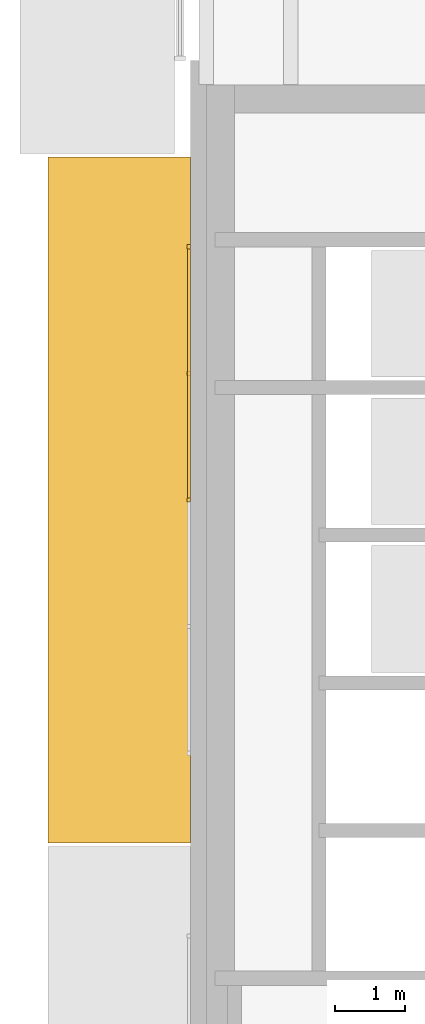
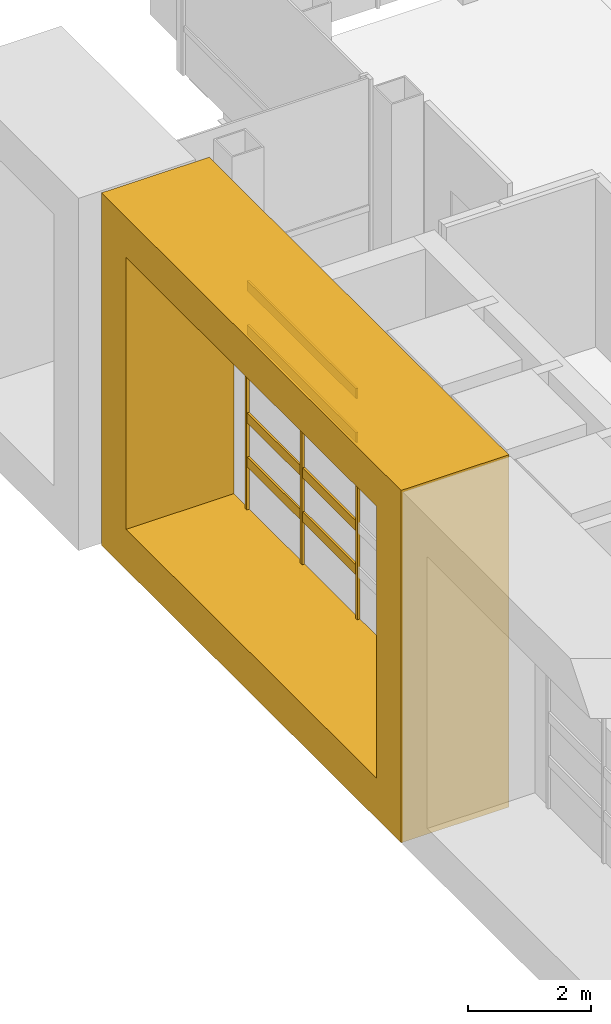
# One storey, part 16 of 21: 8 coverings.
"""IFC4 building model written with IfcOpenShell, lengths in metres."""

from ifc_helpers import new_model, si_unit, direction, frame, origin, origin_2d, place, context, subcontext, project, spatial, polyline, rectangle, outline, extrude, material, type_object, element, save


model = new_model("IFC4")

# Units and contexts
model_context = context("Model", 3, precision=1e-05, world=origin(), true_north=direction((0.0, 1.0)))
body_context = subcontext(model_context, "Body", "Model", "MODEL_VIEW")
ifc_project = project(units=[si_unit("LENGTHUNIT", "METRE"), si_unit("AREAUNIT", "SQUARE_METRE"), si_unit("VOLUMEUNIT", "CUBIC_METRE"), si_unit("PLANEANGLEUNIT", "RADIAN"), si_unit("MASSUNIT", "GRAM", prefix="KILO")], contexts=[model_context])

# Site, building, storey
site_placement = place(None, origin())
site = spatial("IfcSite", under=ifc_project, at=site_placement, CompositionType="ELEMENT")
building_placement = place(site_placement, origin())
building = spatial("IfcBuilding", under=site, at=building_placement, Name="Cobrizo Arcos Hotel Tower", CompositionType="ELEMENT")
storey_placement = place(building_placement, frame((0.0, 0.0, 269.0)))
storey = spatial("IfcBuildingStorey", under=building, at=storey_placement, Name="L71", CompositionType="ELEMENT", Elevation=269.0)

# Coverings
ifc_material_1 = material(Name="Aluminium 6063-T6 anodised bronze", Category="aluminium")
covering_type_1 = type_object("IfcCoveringType", Name="FIN-F 2025", PredefinedType="CLADDING", material=ifc_material_1)
covering_placement = place(storey_placement, frame((-20.625, 9.77490234375, 0.0), z_axis=(-1.0, 0.0, 0.0), x_axis=(0.0, -1.0, 0.0)))
element("IfcCovering", 1, at=covering_placement, inside=storey, type_object=covering_type_1, Name="Fin frame 440", PredefinedType="CLADDING", context=body_context, shape_type="SweptSolid", body=[
    extrude(outline(polyline([(0.0, 7.0), (0.0, 0.0), (9.75, 0.0), (9.75, 7.0), (0.0, 7.0)]), holes=[polyline([(8.949951171875, 0.800048828125), (0.800048828125, 0.800048828125), (0.800048828125, 6.199951171875), (8.949951171875, 6.199951171875), (8.949951171875, 0.800048828125)])]), origin(), (0.0, 0.0, 1.0), 2.02490234375),
])
ifc_material_2 = material(Name="Aluminium 6063-T6 anodised pale", Category="aluminium")
covering_type_2 = type_object("IfcCoveringType", Name="RS-2 rainscreen rib 60x50", PredefinedType="CLADDING", material=ifc_material_2)
for number, where, z_axis, x_axis, name in (
    (2, (-20.64990234375, 8.5, 0.800048828125), (0.0, 0.0, 1.0), (0.0, -1.0, 0.0), "Rainscreen rib 351"),
    (3, (-20.64990234375, 6.699951171875, 0.800048828125), (0.0, 0.0, 1.0), (0.0, -1.0, 0.0), "Rainscreen rib 352"),
    (4, (-20.64990234375, 4.89990234375, 0.800048828125), (0.0, 0.0, 1.0), (0.0, -1.0, 0.0), "Rainscreen rib 353"),
):
    element("IfcCovering", number, at=place(storey_placement, frame(where, z_axis=z_axis, x_axis=x_axis)), inside=storey, type_object=covering_type_2, Name=name, PredefinedType="CLADDING", context=body_context, shape_type="SweptSolid", body=[
        extrude(rectangle(XDim=0.06005859375, YDim=0.050048828125, at=origin_2d()), origin(), (0.0, 0.0, 1.0), 5.39990234375),
    ])
covering_type_3 = type_object("IfcCoveringType", Name="RS-3 rainscreen louvre slat 200x40", PredefinedType="CLADDING", material=ifc_material_2)
for number, where, z_axis, x_axis, name in (
    (5, (-20.64501953125, 6.699951171875, 1.64990234375), (0.0, 0.0, 1.0), (0.0, -1.0, 0.0), "Rainscreen slat 229"),
    (6, (-20.64501953125, 6.699951171875, 2.52490234375), (0.0, 0.0, 1.0), (0.0, -1.0, 0.0), "Rainscreen slat 230"),
    (7, (-20.64501953125, 6.699951171875, 4.27490234375), (0.0, 0.0, 1.0), (0.0, -1.0, 0.0), "Rainscreen slat 233"),
    (8, (-20.64501953125, 6.699951171875, 5.14990234375), (0.0, 0.0, 1.0), (0.0, -1.0, 0.0), "Rainscreen slat 234"),
):
    element("IfcCovering", number, at=place(storey_placement, frame(where, z_axis=z_axis, x_axis=x_axis)), inside=storey, type_object=covering_type_3, Name=name, PredefinedType="CLADDING", context=body_context, shape_type="SweptSolid", body=[
        extrude(rectangle(XDim=3.5400390625, YDim=0.0400390625, at=origin_2d()), origin(), (0.0, 0.0, 1.0), 0.199951171875),
    ])

save(model, "model.ifc")
